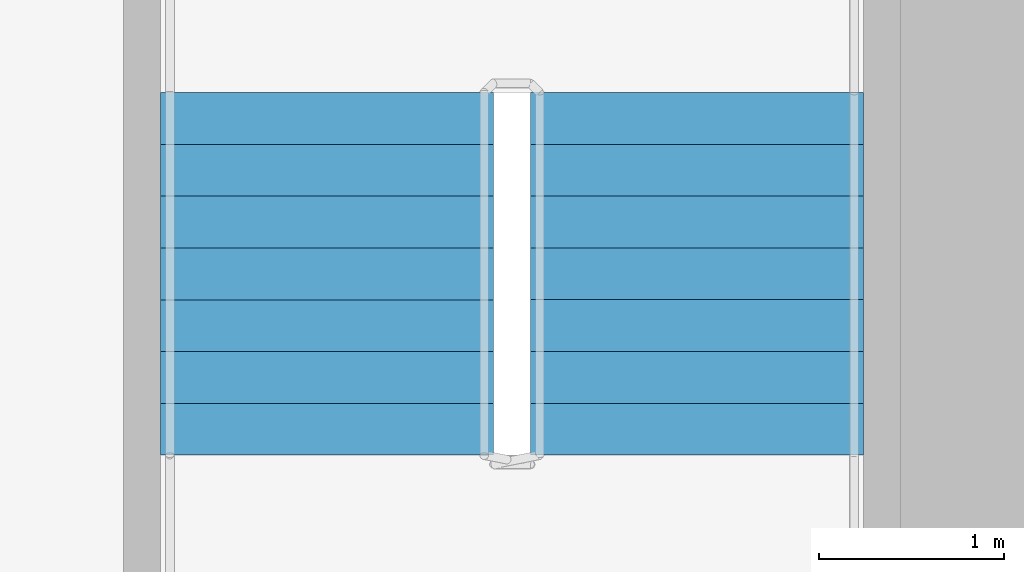
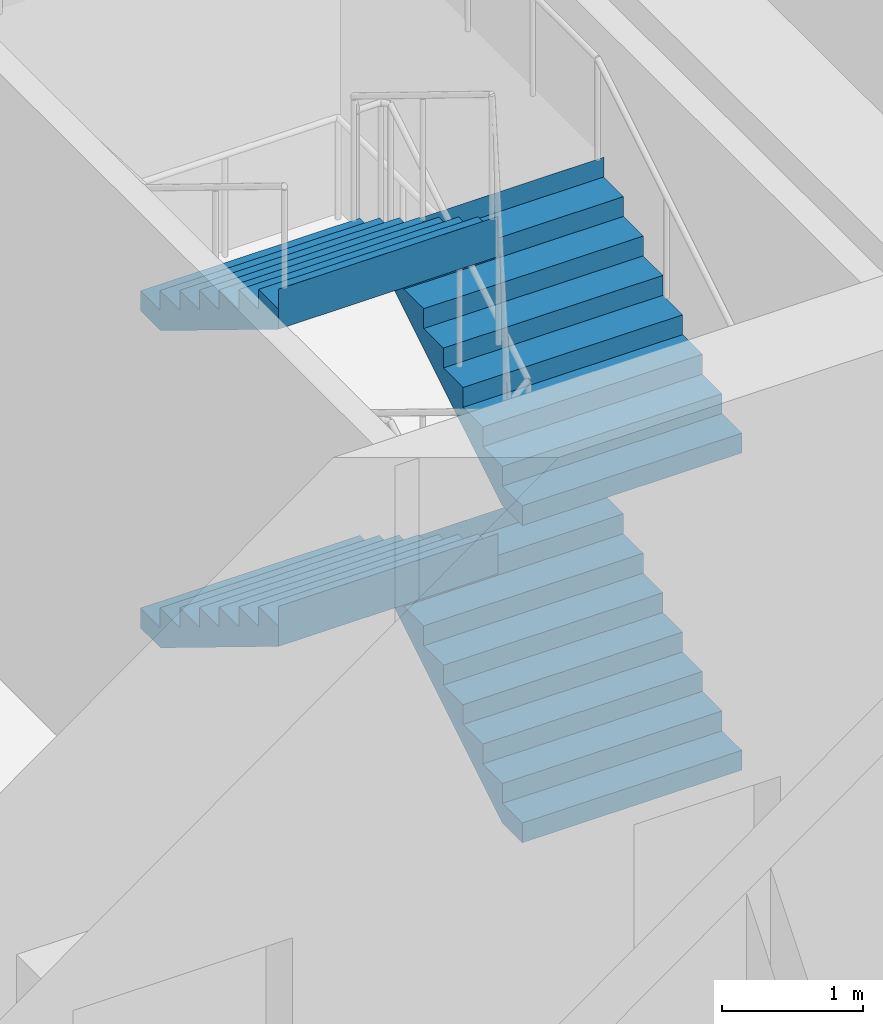
# One storey, part 6 of 9: 4 stair flights, 1 element without a shape of its own.
"""IFC4 building model written with IfcOpenShell, lengths in metres."""

from ifc_helpers import new_model, si_unit, direction, frame, origin, place, context, subcontext, project, spatial, polyline, outline, extrude, material, type_object, element, aggregate, save


model = new_model("IFC4")

# Units and contexts
model_context = context("Model", 3, precision=1e-05, world=origin(), true_north=direction((0.0, 1.0)))
body_context = subcontext(model_context, "Body", "Model", "MODEL_VIEW")
ifc_project = project(units=[si_unit("LENGTHUNIT", "METRE"), si_unit("AREAUNIT", "SQUARE_METRE"), si_unit("VOLUMEUNIT", "CUBIC_METRE"), si_unit("PLANEANGLEUNIT", "RADIAN"), si_unit("MASSUNIT", "GRAM", prefix="KILO")], contexts=[model_context])

# Site, building, storey
site_placement = place(None, origin())
site = spatial("IfcSite", under=ifc_project, at=site_placement, CompositionType="ELEMENT")
building_placement = place(site_placement, origin())
building = spatial("IfcBuilding", under=site, at=building_placement, Name="Tamorin Gate", CompositionType="ELEMENT")
storey_placement = place(building_placement, frame((0.0, 0.0, 214.199951171875)))
storey = spatial("IfcBuildingStorey", under=building, at=storey_placement, Name="L53", CompositionType="ELEMENT", Elevation=214.199951171875)

# Stair, stair flights
ifc_material = material(Name="Concrete C40/50", Category="concrete")
stair_type = type_object("IfcStairType", Name="Exit stair", PredefinedType="HALF_TURN_STAIR", material=ifc_material)
stair_placement = place(storey_placement, origin())
stair = element("IfcStair", 1, at=stair_placement, inside=storey, type_object=stair_type, Name="L53 stair ST3", PredefinedType="HALF_TURN_STAIR")
stair_flight_type = type_object("IfcStairFlightType", Name="Exit stair flight", PredefinedType="STRAIGHT", material=ifc_material)
stair_flight_1_placement = place(storey_placement, frame((58.10009765625, 62.800048828125, 0.0), z_axis=(0.0, 0.0, 1.0), x_axis=(0.0, 1.0, 0.0)))
stair_flight_1 = element("IfcStairFlight", 2, at=stair_flight_1_placement, type_object=stair_flight_type, Name="ST3 flight 1", NumberOfRisers=8, NumberOfTreads=7, PredefinedType="STRAIGHT", RiserHeight=0.171875, TreadLength=0.28, context=body_context, shape_type="SweptSolid", body=[
    extrude(outline(polyline([(-0.00048828125, 0.0), (-0.00048828125, 0.001708984375), (-0.00048828125, 0.00341796875), (-0.00048828125, 0.005126953125), (-0.00048828125, 0.0068359375), (-0.00048828125, 0.008544921875), (-0.00048828125, 0.01025390625), (-0.00048828125, 0.011962890625), (-0.00048828125, 0.013671875), (-0.00048828125, 0.015380859375), (-0.00048828125, 0.01708984375), (-0.00048828125, 0.018798828125), (-0.00048828125, 0.0205078125), (-0.00048828125, 0.022216796875), (-0.00048828125, 0.02392578125), (-0.00048828125, 0.025634765625), (-0.00048828125, 0.02734375), (-0.00048828125, 0.02880859375), (-0.00048828125, 0.030517578125), (-0.00048828125, 0.0322265625), (-0.00048828125, 0.033935546875), (-0.00048828125, 0.03564453125), (-0.00048828125, 0.037353515625), (-0.00048828125, 0.0390625), (-0.00048828125, 0.040771484375), (-0.00048828125, 0.04248046875), (-0.00048828125, 0.044189453125), (-0.00048828125, 0.0458984375), (-0.00048828125, 0.047607421875), (-0.00048828125, 0.04931640625), (-0.00048828125, 0.051025390625), (-0.00048828125, 0.052734375), (-0.00048828125, 0.054443359375), (-0.00048828125, 0.05615234375), (-0.00048828125, 0.057861328125), (-0.00048828125, 0.0595703125), (-0.00048828125, 0.061279296875), (-0.00048828125, 0.06298828125), (-0.00048828125, 0.064697265625), (-0.00048828125, 0.06640625), (-0.00048828125, 0.068115234375), (-0.00048828125, 0.06982421875), (-0.00048828125, 0.071533203125), (-0.00048828125, 0.0732421875), (-0.00048828125, 0.074951171875), (-0.00048828125, 0.07666015625), (-0.00048828125, 0.078369140625), (-0.00048828125, 0.080078125), (-0.00048828125, 0.081787109375), (-0.00048828125, 0.08349609375), (-0.00048828125, 0.085205078125), (-0.00048828125, 0.086669921875), (-0.00048828125, 0.08837890625), (-0.00048828125, 0.090087890625), (-0.00048828125, 0.091796875), (-0.00048828125, 0.093505859375), (-0.00048828125, 0.09521484375), (-0.00048828125, 0.096923828125), (-0.00048828125, 0.0986328125), (-0.00048828125, 0.100341796875), (-0.00048828125, 0.10205078125), (-0.00048828125, 0.103759765625), (-0.00048828125, 0.10546875), (-0.00048828125, 0.107177734375), (-0.00048828125, 0.10888671875), (-0.00048828125, 0.110595703125), (-0.00048828125, 0.1123046875), (-0.00048828125, 0.114013671875), (-0.00048828125, 0.11572265625), (-0.00048828125, 0.117431640625), (-0.00048828125, 0.119140625), (-0.00048828125, 0.120849609375), (-0.00048828125, 0.12255859375), (-0.00048828125, 0.124267578125), (-0.00048828125, 0.1259765625), (-0.00048828125, 0.127685546875), (-0.00048828125, 0.12939453125), (-0.00048828125, 0.131103515625), (-0.00048828125, 0.1328125), (-0.00048828125, 0.134521484375), (-0.00048828125, 0.13623046875), (-0.00048828125, 0.137939453125), (-0.00048828125, 0.1396484375), (-0.00048828125, 0.141357421875), (-0.00048828125, 0.14306640625), (-0.00048828125, 0.14453125), (-0.00048828125, 0.146240234375), (-0.00048828125, 0.14794921875), (-0.00048828125, 0.149658203125), (-0.00048828125, 0.1513671875), (-0.00048828125, 0.153076171875), (-0.00048828125, 0.15478515625), (-0.00048828125, 0.156494140625), (-0.00048828125, 0.158203125), (-0.00048828125, 0.159912109375), (-0.00048828125, 0.16162109375), (-0.00048828125, 0.163330078125), (-0.00048828125, 0.1650390625), (-0.00048828125, 0.166748046875), (-0.00048828125, 0.16845703125), (-0.00048828125, 0.170166015625), (-0.00048828125, 0.171875), (0.280029296875, 0.171875), (0.280029296875, 0.34375), (0.56005859375, 0.34375), (0.56005859375, 0.515625), (0.840087890625, 0.515625), (0.840087890625, 0.6875), (1.1201171875, 0.6875), (1.1201171875, 0.859375), (1.39990234375, 0.859375), (1.39990234375, 1.03125), (1.679931640625, 1.03125), (1.679931640625, 1.203125), (1.9599609375, 1.203125), (1.9599609375, 1.375), (1.96044921875, 1.375), (1.96044921875, 1.37158203125), (1.96044921875, 1.3681640625), (1.96044921875, 1.36474609375), (1.96044921875, 1.361328125), (1.96044921875, 1.357666015625), (1.96044921875, 1.354248046875), (1.96044921875, 1.350830078125), (1.96044921875, 1.347412109375), (1.96044921875, 1.343994140625), (1.96044921875, 1.340576171875), (1.96044921875, 1.337158203125), (1.96044921875, 1.333740234375), (1.96044921875, 1.330322265625), (1.96044921875, 1.326904296875), (1.96044921875, 1.3232421875), (1.96044921875, 1.31982421875), (1.96044921875, 1.31640625), (1.96044921875, 1.31298828125), (1.96044921875, 1.3095703125), (1.96044921875, 1.30615234375), (1.96044921875, 1.302734375), (1.96044921875, 1.29931640625), (1.96044921875, 1.2958984375), (1.96044921875, 1.29248046875), (1.96044921875, 1.288818359375), (1.96044921875, 1.285400390625), (1.96044921875, 1.281982421875), (1.96044921875, 1.278564453125), (1.96044921875, 1.275146484375), (1.96044921875, 1.271728515625), (1.96044921875, 1.268310546875), (1.96044921875, 1.264892578125), (1.96044921875, 1.261474609375), (1.96044921875, 1.2578125), (1.96044921875, 1.25439453125), (1.96044921875, 1.2509765625), (1.96044921875, 1.24755859375), (1.96044921875, 1.244140625), (1.96044921875, 1.24072265625), (1.96044921875, 1.2373046875), (1.96044921875, 1.23388671875), (1.96044921875, 1.23046875), (1.96044921875, 1.22705078125), (1.96044921875, 1.223388671875), (1.96044921875, 1.219970703125), (1.96044921875, 1.216552734375), (1.96044921875, 1.213134765625), (1.96044921875, 1.209716796875), (1.96044921875, 1.206298828125), (1.96044921875, 1.202880859375), (1.96044921875, 1.199462890625), (1.96044921875, 1.196044921875), (1.96044921875, 1.192626953125), (1.96044921875, 1.18896484375), (1.96044921875, 1.185546875), (1.96044921875, 1.18212890625), (1.96044921875, 1.1787109375), (1.96044921875, 1.17529296875), (1.96044921875, 1.171875), (1.96044921875, 1.16845703125), (1.96044921875, 1.1650390625), (1.96044921875, 1.16162109375), (1.96044921875, 1.157958984375), (1.96044921875, 1.154541015625), (1.96044921875, 1.151123046875), (1.96044921875, 1.147705078125), (1.96044921875, 1.144287109375), (1.96044921875, 1.140869140625), (1.96044921875, 1.137451171875), (1.96044921875, 1.134033203125), (1.96044921875, 1.130615234375), (1.96044921875, 1.127197265625), (1.96044921875, 1.12353515625), (1.96044921875, 1.1201171875), (1.96044921875, 1.11669921875), (1.96044921875, 1.11328125), (1.96044921875, 1.10986328125), (1.96044921875, 1.1064453125), (1.96044921875, 1.10302734375), (1.96044921875, 1.099609375), (1.96044921875, 1.09619140625), (1.96044921875, 1.0927734375), (1.96044921875, 1.089111328125), (1.96044921875, 1.085693359375), (1.96044921875, 1.082275390625), (1.96044921875, 1.078857421875), (1.96044921875, 1.075439453125), (1.96044921875, 1.072021484375), (1.96044921875, 1.068603515625), (1.96044921875, 1.065185546875), (1.96044921875, 1.061767578125), (1.96044921875, 1.05810546875), (1.96044921875, 1.0546875), (1.96044921875, 1.05126953125), (1.96044921875, 1.0478515625), (1.96044921875, 1.04443359375), (1.96044921875, 1.041015625), (1.96044921875, 1.03759765625), (1.96044921875, 1.0341796875), (1.96044921875, 1.03076171875), (1.96044921875, 1.02734375), (1.9599609375, 1.02734375), (0.28662109375, 0.0), (-0.00048828125, 0.0)])), frame((0.0, 0.89990234375, 0.0), z_axis=(0.0, -1.0, 0.0), x_axis=(1.0, 0.0, 0.0)), (0.0, 0.0, 1.0), 1.800048828125),
])
stair_flight_2_placement = place(storey_placement, frame((56.10009765625, 64.760009765625, 1.375), z_axis=(0.0, 0.0, 1.0), x_axis=(0.0, -1.0, 0.0)))
stair_flight_2 = element("IfcStairFlight", 3, at=stair_flight_2_placement, type_object=stair_flight_type, Name="ST3 flight 2", NumberOfRisers=8, NumberOfTreads=7, PredefinedType="STRAIGHT", RiserHeight=0.171875, TreadLength=0.28, context=body_context, shape_type="SweptSolid", body=[
    extrude(outline(polyline([(-0.00048828125, 0.0), (-0.00048828125, 0.001708984375), (-0.00048828125, 0.00341796875), (-0.00048828125, 0.005126953125), (-0.00048828125, 0.0068359375), (-0.00048828125, 0.008544921875), (-0.00048828125, 0.01025390625), (-0.00048828125, 0.011962890625), (-0.00048828125, 0.013671875), (-0.00048828125, 0.015380859375), (-0.00048828125, 0.01708984375), (-0.00048828125, 0.018798828125), (-0.00048828125, 0.0205078125), (-0.00048828125, 0.022216796875), (-0.00048828125, 0.02392578125), (-0.00048828125, 0.025634765625), (-0.00048828125, 0.02734375), (-0.00048828125, 0.02880859375), (-0.00048828125, 0.030517578125), (-0.00048828125, 0.0322265625), (-0.00048828125, 0.033935546875), (-0.00048828125, 0.03564453125), (-0.00048828125, 0.037353515625), (-0.00048828125, 0.0390625), (-0.00048828125, 0.040771484375), (-0.00048828125, 0.04248046875), (-0.00048828125, 0.044189453125), (-0.00048828125, 0.0458984375), (-0.00048828125, 0.047607421875), (-0.00048828125, 0.04931640625), (-0.00048828125, 0.051025390625), (-0.00048828125, 0.052734375), (-0.00048828125, 0.054443359375), (-0.00048828125, 0.05615234375), (-0.00048828125, 0.057861328125), (-0.00048828125, 0.0595703125), (-0.00048828125, 0.061279296875), (-0.00048828125, 0.06298828125), (-0.00048828125, 0.064697265625), (-0.00048828125, 0.06640625), (-0.00048828125, 0.068115234375), (-0.00048828125, 0.06982421875), (-0.00048828125, 0.071533203125), (-0.00048828125, 0.0732421875), (-0.00048828125, 0.074951171875), (-0.00048828125, 0.07666015625), (-0.00048828125, 0.078369140625), (-0.00048828125, 0.080078125), (-0.00048828125, 0.081787109375), (-0.00048828125, 0.08349609375), (-0.00048828125, 0.085205078125), (-0.00048828125, 0.086669921875), (-0.00048828125, 0.08837890625), (-0.00048828125, 0.090087890625), (-0.00048828125, 0.091796875), (-0.00048828125, 0.093505859375), (-0.00048828125, 0.09521484375), (-0.00048828125, 0.096923828125), (-0.00048828125, 0.0986328125), (-0.00048828125, 0.100341796875), (-0.00048828125, 0.10205078125), (-0.00048828125, 0.103759765625), (-0.00048828125, 0.10546875), (-0.00048828125, 0.107177734375), (-0.00048828125, 0.10888671875), (-0.00048828125, 0.110595703125), (-0.00048828125, 0.1123046875), (-0.00048828125, 0.114013671875), (-0.00048828125, 0.11572265625), (-0.00048828125, 0.117431640625), (-0.00048828125, 0.119140625), (-0.00048828125, 0.120849609375), (-0.00048828125, 0.12255859375), (-0.00048828125, 0.124267578125), (-0.00048828125, 0.1259765625), (-0.00048828125, 0.127685546875), (-0.00048828125, 0.12939453125), (-0.00048828125, 0.131103515625), (-0.00048828125, 0.1328125), (-0.00048828125, 0.134521484375), (-0.00048828125, 0.13623046875), (-0.00048828125, 0.137939453125), (-0.00048828125, 0.1396484375), (-0.00048828125, 0.141357421875), (-0.00048828125, 0.14306640625), (-0.00048828125, 0.14453125), (-0.00048828125, 0.146240234375), (-0.00048828125, 0.14794921875), (-0.00048828125, 0.149658203125), (-0.00048828125, 0.1513671875), (-0.00048828125, 0.153076171875), (-0.00048828125, 0.15478515625), (-0.00048828125, 0.156494140625), (-0.00048828125, 0.158203125), (-0.00048828125, 0.159912109375), (-0.00048828125, 0.16162109375), (-0.00048828125, 0.163330078125), (-0.00048828125, 0.1650390625), (-0.00048828125, 0.166748046875), (-0.00048828125, 0.16845703125), (-0.00048828125, 0.170166015625), (-0.00048828125, 0.171875), (0.280029296875, 0.171875), (0.280029296875, 0.34375), (0.56005859375, 0.34375), (0.56005859375, 0.515625), (0.840087890625, 0.515625), (0.840087890625, 0.6875), (1.1201171875, 0.6875), (1.1201171875, 0.859375), (1.39990234375, 0.859375), (1.39990234375, 1.03125), (1.679931640625, 1.03125), (1.679931640625, 1.203125), (1.9599609375, 1.203125), (1.9599609375, 1.375), (1.96044921875, 1.375), (1.96044921875, 1.37158203125), (1.96044921875, 1.3681640625), (1.96044921875, 1.36474609375), (1.96044921875, 1.361328125), (1.96044921875, 1.357666015625), (1.96044921875, 1.354248046875), (1.96044921875, 1.350830078125), (1.96044921875, 1.347412109375), (1.96044921875, 1.343994140625), (1.96044921875, 1.340576171875), (1.96044921875, 1.337158203125), (1.96044921875, 1.333740234375), (1.96044921875, 1.330322265625), (1.96044921875, 1.326904296875), (1.96044921875, 1.3232421875), (1.96044921875, 1.31982421875), (1.96044921875, 1.31640625), (1.96044921875, 1.31298828125), (1.96044921875, 1.3095703125), (1.96044921875, 1.30615234375), (1.96044921875, 1.302734375), (1.96044921875, 1.29931640625), (1.96044921875, 1.2958984375), (1.96044921875, 1.29248046875), (1.96044921875, 1.288818359375), (1.96044921875, 1.285400390625), (1.96044921875, 1.281982421875), (1.96044921875, 1.278564453125), (1.96044921875, 1.275146484375), (1.96044921875, 1.271728515625), (1.96044921875, 1.268310546875), (1.96044921875, 1.264892578125), (1.96044921875, 1.261474609375), (1.96044921875, 1.2578125), (1.96044921875, 1.25439453125), (1.96044921875, 1.2509765625), (1.96044921875, 1.24755859375), (1.96044921875, 1.244140625), (1.96044921875, 1.24072265625), (1.96044921875, 1.2373046875), (1.96044921875, 1.23388671875), (1.96044921875, 1.23046875), (1.96044921875, 1.22705078125), (1.96044921875, 1.223388671875), (1.96044921875, 1.219970703125), (1.96044921875, 1.216552734375), (1.96044921875, 1.213134765625), (1.96044921875, 1.209716796875), (1.96044921875, 1.206298828125), (1.96044921875, 1.202880859375), (1.96044921875, 1.199462890625), (1.96044921875, 1.196044921875), (1.96044921875, 1.192626953125), (1.96044921875, 1.18896484375), (1.96044921875, 1.185546875), (1.96044921875, 1.18212890625), (1.96044921875, 1.1787109375), (1.96044921875, 1.17529296875), (1.96044921875, 1.171875), (1.96044921875, 1.16845703125), (1.96044921875, 1.1650390625), (1.96044921875, 1.16162109375), (1.96044921875, 1.157958984375), (1.96044921875, 1.154541015625), (1.96044921875, 1.151123046875), (1.96044921875, 1.147705078125), (1.96044921875, 1.144287109375), (1.96044921875, 1.140869140625), (1.96044921875, 1.137451171875), (1.96044921875, 1.134033203125), (1.96044921875, 1.130615234375), (1.96044921875, 1.127197265625), (1.96044921875, 1.12353515625), (1.96044921875, 1.1201171875), (1.96044921875, 1.11669921875), (1.96044921875, 1.11328125), (1.96044921875, 1.10986328125), (1.96044921875, 1.1064453125), (1.96044921875, 1.10302734375), (1.96044921875, 1.099609375), (1.96044921875, 1.09619140625), (1.96044921875, 1.0927734375), (1.96044921875, 1.089111328125), (1.96044921875, 1.085693359375), (1.96044921875, 1.082275390625), (1.96044921875, 1.078857421875), (1.96044921875, 1.075439453125), (1.96044921875, 1.072021484375), (1.96044921875, 1.068603515625), (1.96044921875, 1.065185546875), (1.96044921875, 1.061767578125), (1.96044921875, 1.05810546875), (1.96044921875, 1.0546875), (1.96044921875, 1.05126953125), (1.96044921875, 1.0478515625), (1.96044921875, 1.04443359375), (1.96044921875, 1.041015625), (1.96044921875, 1.03759765625), (1.96044921875, 1.0341796875), (1.96044921875, 1.03076171875), (1.96044921875, 1.02734375), (1.9599609375, 1.02734375), (0.28662109375, 0.0), (-0.00048828125, 0.0)])), frame((0.0, 0.89990234375, 0.0), z_axis=(0.0, -1.0, 0.0), x_axis=(1.0, 0.0, 0.0)), (0.0, 0.0, 1.0), 1.800048828125),
])
stair_flight_3_placement = place(storey_placement, frame((58.10009765625, 62.800048828125, 2.75), z_axis=(0.0, 0.0, 1.0), x_axis=(0.0, 1.0, 0.0)))
stair_flight_3 = element("IfcStairFlight", 4, at=stair_flight_3_placement, type_object=stair_flight_type, Name="ST3 flight 3", NumberOfRisers=8, NumberOfTreads=7, PredefinedType="STRAIGHT", RiserHeight=0.171875, TreadLength=0.28, context=body_context, shape_type="SweptSolid", body=[
    extrude(outline(polyline([(-0.00048828125, 0.0), (-0.00048828125, 0.001708984375), (-0.00048828125, 0.00341796875), (-0.00048828125, 0.005126953125), (-0.00048828125, 0.0068359375), (-0.00048828125, 0.008544921875), (-0.00048828125, 0.01025390625), (-0.00048828125, 0.011962890625), (-0.00048828125, 0.013671875), (-0.00048828125, 0.015380859375), (-0.00048828125, 0.01708984375), (-0.00048828125, 0.018798828125), (-0.00048828125, 0.0205078125), (-0.00048828125, 0.022216796875), (-0.00048828125, 0.02392578125), (-0.00048828125, 0.025634765625), (-0.00048828125, 0.02734375), (-0.00048828125, 0.02880859375), (-0.00048828125, 0.030517578125), (-0.00048828125, 0.0322265625), (-0.00048828125, 0.033935546875), (-0.00048828125, 0.03564453125), (-0.00048828125, 0.037353515625), (-0.00048828125, 0.0390625), (-0.00048828125, 0.040771484375), (-0.00048828125, 0.04248046875), (-0.00048828125, 0.044189453125), (-0.00048828125, 0.0458984375), (-0.00048828125, 0.047607421875), (-0.00048828125, 0.04931640625), (-0.00048828125, 0.051025390625), (-0.00048828125, 0.052734375), (-0.00048828125, 0.054443359375), (-0.00048828125, 0.05615234375), (-0.00048828125, 0.057861328125), (-0.00048828125, 0.0595703125), (-0.00048828125, 0.061279296875), (-0.00048828125, 0.06298828125), (-0.00048828125, 0.064697265625), (-0.00048828125, 0.06640625), (-0.00048828125, 0.068115234375), (-0.00048828125, 0.06982421875), (-0.00048828125, 0.071533203125), (-0.00048828125, 0.0732421875), (-0.00048828125, 0.074951171875), (-0.00048828125, 0.07666015625), (-0.00048828125, 0.078369140625), (-0.00048828125, 0.080078125), (-0.00048828125, 0.081787109375), (-0.00048828125, 0.08349609375), (-0.00048828125, 0.085205078125), (-0.00048828125, 0.086669921875), (-0.00048828125, 0.08837890625), (-0.00048828125, 0.090087890625), (-0.00048828125, 0.091796875), (-0.00048828125, 0.093505859375), (-0.00048828125, 0.09521484375), (-0.00048828125, 0.096923828125), (-0.00048828125, 0.0986328125), (-0.00048828125, 0.100341796875), (-0.00048828125, 0.10205078125), (-0.00048828125, 0.103759765625), (-0.00048828125, 0.10546875), (-0.00048828125, 0.107177734375), (-0.00048828125, 0.10888671875), (-0.00048828125, 0.110595703125), (-0.00048828125, 0.1123046875), (-0.00048828125, 0.114013671875), (-0.00048828125, 0.11572265625), (-0.00048828125, 0.117431640625), (-0.00048828125, 0.119140625), (-0.00048828125, 0.120849609375), (-0.00048828125, 0.12255859375), (-0.00048828125, 0.124267578125), (-0.00048828125, 0.1259765625), (-0.00048828125, 0.127685546875), (-0.00048828125, 0.12939453125), (-0.00048828125, 0.131103515625), (-0.00048828125, 0.1328125), (-0.00048828125, 0.134521484375), (-0.00048828125, 0.13623046875), (-0.00048828125, 0.137939453125), (-0.00048828125, 0.1396484375), (-0.00048828125, 0.141357421875), (-0.00048828125, 0.14306640625), (-0.00048828125, 0.14453125), (-0.00048828125, 0.146240234375), (-0.00048828125, 0.14794921875), (-0.00048828125, 0.149658203125), (-0.00048828125, 0.1513671875), (-0.00048828125, 0.153076171875), (-0.00048828125, 0.15478515625), (-0.00048828125, 0.156494140625), (-0.00048828125, 0.158203125), (-0.00048828125, 0.159912109375), (-0.00048828125, 0.16162109375), (-0.00048828125, 0.163330078125), (-0.00048828125, 0.1650390625), (-0.00048828125, 0.166748046875), (-0.00048828125, 0.16845703125), (-0.00048828125, 0.170166015625), (-0.00048828125, 0.171875), (0.280029296875, 0.171875), (0.280029296875, 0.34375), (0.56005859375, 0.34375), (0.56005859375, 0.515625), (0.840087890625, 0.515625), (0.840087890625, 0.6875), (1.1201171875, 0.6875), (1.1201171875, 0.859375), (1.39990234375, 0.859375), (1.39990234375, 1.03125), (1.679931640625, 1.03125), (1.679931640625, 1.203125), (1.9599609375, 1.203125), (1.9599609375, 1.375), (1.96044921875, 1.375), (1.96044921875, 1.37158203125), (1.96044921875, 1.3681640625), (1.96044921875, 1.36474609375), (1.96044921875, 1.361328125), (1.96044921875, 1.357666015625), (1.96044921875, 1.354248046875), (1.96044921875, 1.350830078125), (1.96044921875, 1.347412109375), (1.96044921875, 1.343994140625), (1.96044921875, 1.340576171875), (1.96044921875, 1.337158203125), (1.96044921875, 1.333740234375), (1.96044921875, 1.330322265625), (1.96044921875, 1.326904296875), (1.96044921875, 1.3232421875), (1.96044921875, 1.31982421875), (1.96044921875, 1.31640625), (1.96044921875, 1.31298828125), (1.96044921875, 1.3095703125), (1.96044921875, 1.30615234375), (1.96044921875, 1.302734375), (1.96044921875, 1.29931640625), (1.96044921875, 1.2958984375), (1.96044921875, 1.29248046875), (1.96044921875, 1.288818359375), (1.96044921875, 1.285400390625), (1.96044921875, 1.281982421875), (1.96044921875, 1.278564453125), (1.96044921875, 1.275146484375), (1.96044921875, 1.271728515625), (1.96044921875, 1.268310546875), (1.96044921875, 1.264892578125), (1.96044921875, 1.261474609375), (1.96044921875, 1.2578125), (1.96044921875, 1.25439453125), (1.96044921875, 1.2509765625), (1.96044921875, 1.24755859375), (1.96044921875, 1.244140625), (1.96044921875, 1.24072265625), (1.96044921875, 1.2373046875), (1.96044921875, 1.23388671875), (1.96044921875, 1.23046875), (1.96044921875, 1.22705078125), (1.96044921875, 1.223388671875), (1.96044921875, 1.219970703125), (1.96044921875, 1.216552734375), (1.96044921875, 1.213134765625), (1.96044921875, 1.209716796875), (1.96044921875, 1.206298828125), (1.96044921875, 1.202880859375), (1.96044921875, 1.199462890625), (1.96044921875, 1.196044921875), (1.96044921875, 1.192626953125), (1.96044921875, 1.18896484375), (1.96044921875, 1.185546875), (1.96044921875, 1.18212890625), (1.96044921875, 1.1787109375), (1.96044921875, 1.17529296875), (1.96044921875, 1.171875), (1.96044921875, 1.16845703125), (1.96044921875, 1.1650390625), (1.96044921875, 1.16162109375), (1.96044921875, 1.157958984375), (1.96044921875, 1.154541015625), (1.96044921875, 1.151123046875), (1.96044921875, 1.147705078125), (1.96044921875, 1.144287109375), (1.96044921875, 1.140869140625), (1.96044921875, 1.137451171875), (1.96044921875, 1.134033203125), (1.96044921875, 1.130615234375), (1.96044921875, 1.127197265625), (1.96044921875, 1.12353515625), (1.96044921875, 1.1201171875), (1.96044921875, 1.11669921875), (1.96044921875, 1.11328125), (1.96044921875, 1.10986328125), (1.96044921875, 1.1064453125), (1.96044921875, 1.10302734375), (1.96044921875, 1.099609375), (1.96044921875, 1.09619140625), (1.96044921875, 1.0927734375), (1.96044921875, 1.089111328125), (1.96044921875, 1.085693359375), (1.96044921875, 1.082275390625), (1.96044921875, 1.078857421875), (1.96044921875, 1.075439453125), (1.96044921875, 1.072021484375), (1.96044921875, 1.068603515625), (1.96044921875, 1.065185546875), (1.96044921875, 1.061767578125), (1.96044921875, 1.05810546875), (1.96044921875, 1.0546875), (1.96044921875, 1.05126953125), (1.96044921875, 1.0478515625), (1.96044921875, 1.04443359375), (1.96044921875, 1.041015625), (1.96044921875, 1.03759765625), (1.96044921875, 1.0341796875), (1.96044921875, 1.03076171875), (1.96044921875, 1.02734375), (1.9599609375, 1.02734375), (0.28662109375, 0.0), (-0.00048828125, 0.0)])), frame((0.0, 0.89990234375, 0.0), z_axis=(0.0, -1.0, 0.0), x_axis=(1.0, 0.0, 0.0)), (0.0, 0.0, 1.0), 1.800048828125),
])
stair_flight_4_placement = place(storey_placement, frame((56.10009765625, 64.760009765625, 4.125), z_axis=(0.0, 0.0, 1.0), x_axis=(0.0, -1.0, 0.0)))
stair_flight_4 = element("IfcStairFlight", 5, at=stair_flight_4_placement, type_object=stair_flight_type, Name="ST3 flight 4", NumberOfRisers=8, NumberOfTreads=7, PredefinedType="STRAIGHT", RiserHeight=0.171875, TreadLength=0.28, context=body_context, shape_type="SweptSolid", body=[
    extrude(outline(polyline([(-0.00048828125, 0.0), (-0.00048828125, 0.001708984375), (-0.00048828125, 0.00341796875), (-0.00048828125, 0.005126953125), (-0.00048828125, 0.0068359375), (-0.00048828125, 0.008544921875), (-0.00048828125, 0.01025390625), (-0.00048828125, 0.011962890625), (-0.00048828125, 0.013671875), (-0.00048828125, 0.015380859375), (-0.00048828125, 0.01708984375), (-0.00048828125, 0.018798828125), (-0.00048828125, 0.0205078125), (-0.00048828125, 0.022216796875), (-0.00048828125, 0.02392578125), (-0.00048828125, 0.025634765625), (-0.00048828125, 0.02734375), (-0.00048828125, 0.02880859375), (-0.00048828125, 0.030517578125), (-0.00048828125, 0.0322265625), (-0.00048828125, 0.033935546875), (-0.00048828125, 0.03564453125), (-0.00048828125, 0.037353515625), (-0.00048828125, 0.0390625), (-0.00048828125, 0.040771484375), (-0.00048828125, 0.04248046875), (-0.00048828125, 0.044189453125), (-0.00048828125, 0.0458984375), (-0.00048828125, 0.047607421875), (-0.00048828125, 0.04931640625), (-0.00048828125, 0.051025390625), (-0.00048828125, 0.052734375), (-0.00048828125, 0.054443359375), (-0.00048828125, 0.05615234375), (-0.00048828125, 0.057861328125), (-0.00048828125, 0.0595703125), (-0.00048828125, 0.061279296875), (-0.00048828125, 0.06298828125), (-0.00048828125, 0.064697265625), (-0.00048828125, 0.06640625), (-0.00048828125, 0.068115234375), (-0.00048828125, 0.06982421875), (-0.00048828125, 0.071533203125), (-0.00048828125, 0.0732421875), (-0.00048828125, 0.074951171875), (-0.00048828125, 0.07666015625), (-0.00048828125, 0.078369140625), (-0.00048828125, 0.080078125), (-0.00048828125, 0.081787109375), (-0.00048828125, 0.08349609375), (-0.00048828125, 0.085205078125), (-0.00048828125, 0.086669921875), (-0.00048828125, 0.08837890625), (-0.00048828125, 0.090087890625), (-0.00048828125, 0.091796875), (-0.00048828125, 0.093505859375), (-0.00048828125, 0.09521484375), (-0.00048828125, 0.096923828125), (-0.00048828125, 0.0986328125), (-0.00048828125, 0.100341796875), (-0.00048828125, 0.10205078125), (-0.00048828125, 0.103759765625), (-0.00048828125, 0.10546875), (-0.00048828125, 0.107177734375), (-0.00048828125, 0.10888671875), (-0.00048828125, 0.110595703125), (-0.00048828125, 0.1123046875), (-0.00048828125, 0.114013671875), (-0.00048828125, 0.11572265625), (-0.00048828125, 0.117431640625), (-0.00048828125, 0.119140625), (-0.00048828125, 0.120849609375), (-0.00048828125, 0.12255859375), (-0.00048828125, 0.124267578125), (-0.00048828125, 0.1259765625), (-0.00048828125, 0.127685546875), (-0.00048828125, 0.12939453125), (-0.00048828125, 0.131103515625), (-0.00048828125, 0.1328125), (-0.00048828125, 0.134521484375), (-0.00048828125, 0.13623046875), (-0.00048828125, 0.137939453125), (-0.00048828125, 0.1396484375), (-0.00048828125, 0.141357421875), (-0.00048828125, 0.14306640625), (-0.00048828125, 0.14453125), (-0.00048828125, 0.146240234375), (-0.00048828125, 0.14794921875), (-0.00048828125, 0.149658203125), (-0.00048828125, 0.1513671875), (-0.00048828125, 0.153076171875), (-0.00048828125, 0.15478515625), (-0.00048828125, 0.156494140625), (-0.00048828125, 0.158203125), (-0.00048828125, 0.159912109375), (-0.00048828125, 0.16162109375), (-0.00048828125, 0.163330078125), (-0.00048828125, 0.1650390625), (-0.00048828125, 0.166748046875), (-0.00048828125, 0.16845703125), (-0.00048828125, 0.170166015625), (-0.00048828125, 0.171875), (0.280029296875, 0.171875), (0.280029296875, 0.34375), (0.56005859375, 0.34375), (0.56005859375, 0.515625), (0.840087890625, 0.515625), (0.840087890625, 0.6875), (1.1201171875, 0.6875), (1.1201171875, 0.859375), (1.39990234375, 0.859375), (1.39990234375, 1.03125), (1.679931640625, 1.03125), (1.679931640625, 1.203125), (1.9599609375, 1.203125), (1.9599609375, 1.375), (1.96044921875, 1.375), (1.96044921875, 1.37158203125), (1.96044921875, 1.3681640625), (1.96044921875, 1.36474609375), (1.96044921875, 1.361328125), (1.96044921875, 1.357666015625), (1.96044921875, 1.354248046875), (1.96044921875, 1.350830078125), (1.96044921875, 1.347412109375), (1.96044921875, 1.343994140625), (1.96044921875, 1.340576171875), (1.96044921875, 1.337158203125), (1.96044921875, 1.333740234375), (1.96044921875, 1.330322265625), (1.96044921875, 1.326904296875), (1.96044921875, 1.3232421875), (1.96044921875, 1.31982421875), (1.96044921875, 1.31640625), (1.96044921875, 1.31298828125), (1.96044921875, 1.3095703125), (1.96044921875, 1.30615234375), (1.96044921875, 1.302734375), (1.96044921875, 1.29931640625), (1.96044921875, 1.2958984375), (1.96044921875, 1.29248046875), (1.96044921875, 1.288818359375), (1.96044921875, 1.285400390625), (1.96044921875, 1.281982421875), (1.96044921875, 1.278564453125), (1.96044921875, 1.275146484375), (1.96044921875, 1.271728515625), (1.96044921875, 1.268310546875), (1.96044921875, 1.264892578125), (1.96044921875, 1.261474609375), (1.96044921875, 1.2578125), (1.96044921875, 1.25439453125), (1.96044921875, 1.2509765625), (1.96044921875, 1.24755859375), (1.96044921875, 1.244140625), (1.96044921875, 1.24072265625), (1.96044921875, 1.2373046875), (1.96044921875, 1.23388671875), (1.96044921875, 1.23046875), (1.96044921875, 1.22705078125), (1.96044921875, 1.223388671875), (1.96044921875, 1.219970703125), (1.96044921875, 1.216552734375), (1.96044921875, 1.213134765625), (1.96044921875, 1.209716796875), (1.96044921875, 1.206298828125), (1.96044921875, 1.202880859375), (1.96044921875, 1.199462890625), (1.96044921875, 1.196044921875), (1.96044921875, 1.192626953125), (1.96044921875, 1.18896484375), (1.96044921875, 1.185546875), (1.96044921875, 1.18212890625), (1.96044921875, 1.1787109375), (1.96044921875, 1.17529296875), (1.96044921875, 1.171875), (1.96044921875, 1.16845703125), (1.96044921875, 1.1650390625), (1.96044921875, 1.16162109375), (1.96044921875, 1.157958984375), (1.96044921875, 1.154541015625), (1.96044921875, 1.151123046875), (1.96044921875, 1.147705078125), (1.96044921875, 1.144287109375), (1.96044921875, 1.140869140625), (1.96044921875, 1.137451171875), (1.96044921875, 1.134033203125), (1.96044921875, 1.130615234375), (1.96044921875, 1.127197265625), (1.96044921875, 1.12353515625), (1.96044921875, 1.1201171875), (1.96044921875, 1.11669921875), (1.96044921875, 1.11328125), (1.96044921875, 1.10986328125), (1.96044921875, 1.1064453125), (1.96044921875, 1.10302734375), (1.96044921875, 1.099609375), (1.96044921875, 1.09619140625), (1.96044921875, 1.0927734375), (1.96044921875, 1.089111328125), (1.96044921875, 1.085693359375), (1.96044921875, 1.082275390625), (1.96044921875, 1.078857421875), (1.96044921875, 1.075439453125), (1.96044921875, 1.072021484375), (1.96044921875, 1.068603515625), (1.96044921875, 1.065185546875), (1.96044921875, 1.061767578125), (1.96044921875, 1.05810546875), (1.96044921875, 1.0546875), (1.96044921875, 1.05126953125), (1.96044921875, 1.0478515625), (1.96044921875, 1.04443359375), (1.96044921875, 1.041015625), (1.96044921875, 1.03759765625), (1.96044921875, 1.0341796875), (1.96044921875, 1.03076171875), (1.96044921875, 1.02734375), (1.9599609375, 1.02734375), (0.28662109375, 0.0), (-0.00048828125, 0.0)])), frame((0.0, 0.89990234375, 0.0), z_axis=(0.0, -1.0, 0.0), x_axis=(1.0, 0.0, 0.0)), (0.0, 0.0, 1.0), 1.800048828125),
])
aggregate(stair, [stair_flight_1, stair_flight_2, stair_flight_3, stair_flight_4])

save(model, "model.ifc")
